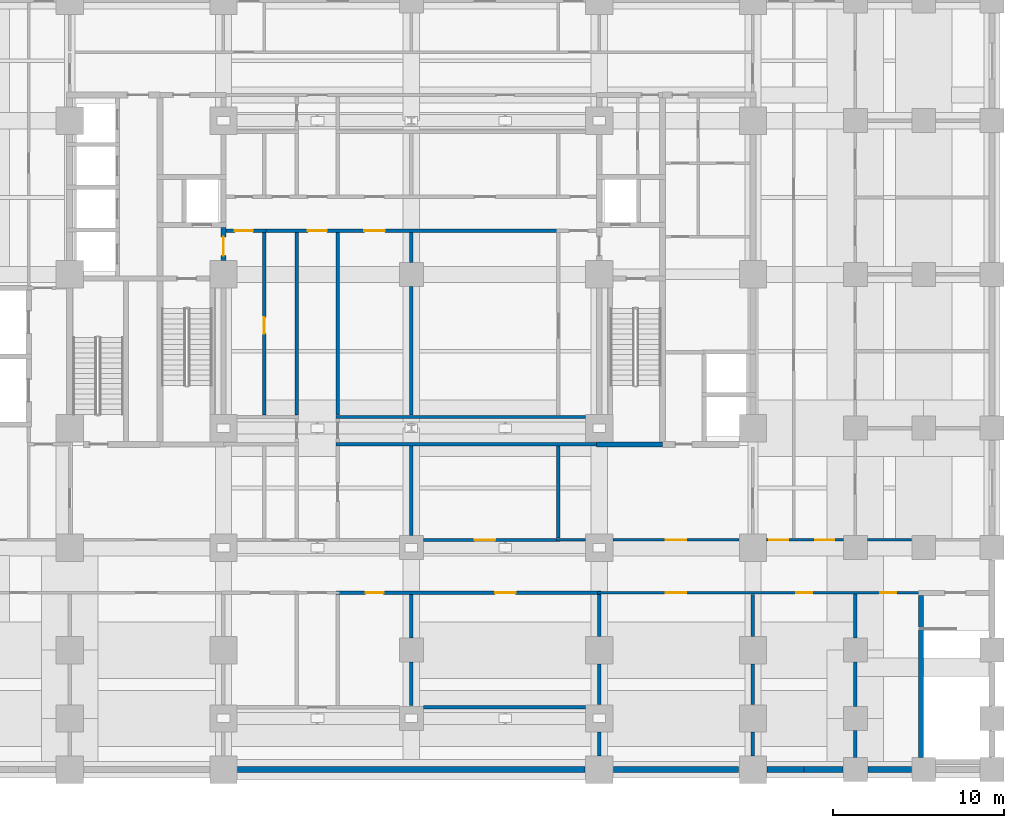
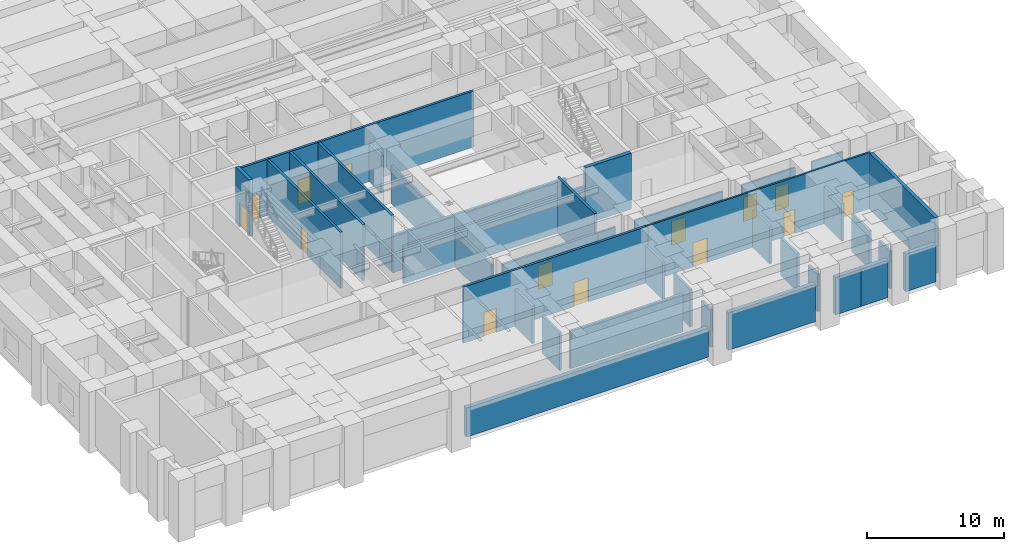
# One storey, part 9 of 22: 38 walls, 14 doors, 14 openings.
"""IFC4 building model written with IfcOpenShell, lengths in metres."""

from ifc_helpers import new_model, si_unit, direction, frame, frame_2d, origin, place, context, subcontext, project, spatial, rectangle, extrude, material, layer, layer_set, type_object, element, fill, save


model = new_model("IFC4")

# Units and contexts
model_context = context("Model", 3, precision=1e-05, world=origin(), true_north=direction((0.0, 1.0)))
body_context = subcontext(model_context, "Body", "Model", "MODEL_VIEW")
ifc_project = project(units=[si_unit("LENGTHUNIT", "METRE"), si_unit("AREAUNIT", "SQUARE_METRE"), si_unit("VOLUMEUNIT", "CUBIC_METRE"), si_unit("PLANEANGLEUNIT", "RADIAN"), si_unit("MASSUNIT", "GRAM", prefix="KILO")], contexts=[model_context])

# Site, building, storey
site_placement = place(None, origin())
site = spatial("IfcSite", under=ifc_project, at=site_placement, CompositionType="ELEMENT")
building_placement = place(site_placement, origin())
building = spatial("IfcBuilding", under=site, at=building_placement, Name="Zulmaris Gate Convention Tower", CompositionType="ELEMENT")
storey_placement = place(building_placement, frame((0.0, 0.0, 21.760009765625)))
storey = spatial("IfcBuildingStorey", under=building, at=storey_placement, Name="L04", CompositionType="ELEMENT", Elevation=21.760009765625)

# Wall
ifc_material_1 = material(Name="Concrete C50/60", Category="concrete")
ifc_layer_1 = layer(ifc_material_1, 0.300048828125, Name="Concrete C50/60")
ifc_layer_set_1 = layer_set([ifc_layer_1], Name="Concrete C50/60")
wall_type_1 = type_object("IfcWallType", Name="CORE-300", PredefinedType="SHEAR", material=ifc_layer_set_1)
wall_1_placement = place(storey_placement, frame((10.85009765625, -9.949951171875, 0.0), z_axis=(0.0, 0.0, 1.0), x_axis=(1.0, 0.0, 0.0)))
element("IfcWall", 1, at=wall_1_placement, inside=storey, type_object=wall_type_1, Name="WL-L04-007", PredefinedType="SHEAR", context=body_context, shape_type="SweptSolid", body=[
    extrude(rectangle(XDim=3.849853515625, YDim=0.300048828125, at=frame_2d((1.9248046875, 0.0))), origin(), (0.0, 0.0, 1.0), 4.989990234375),
])

# Wall, opening, door
wall_2_placement = place(storey_placement, frame((-11.0, 0.803955078125, 0.0), z_axis=(0.0, 0.0, 1.0), x_axis=(0.0, 1.0, 0.0)))
wall_2 = element("IfcWall", 2, at=wall_2_placement, inside=storey, type_object=wall_type_1, Name="WL-L04-095", PredefinedType="SHEAR", context=body_context, shape_type="SweptSolid", body=[
    extrude(rectangle(XDim=1.944091796875, YDim=0.300048828125, at=frame_2d((0.97216796875, 0.0))), origin(), (0.0, 0.0, 1.0), 4.989990234375),
])
opening_1_placement = place(wall_2_placement, frame((0.2958984375, 0.0, 0.0)))
opening_1 = element("IfcOpeningElement", 3, at=opening_1_placement, cuts=wall_2, Name="Opening D-08", PredefinedType="OPENING", context=body_context, shape_type="SweptSolid", body=[
    extrude(rectangle(XDim=1.10009765625, YDim=2.14990234375, at=frame_2d((0.550048828125, 1.074951171875))), frame((0.0, 0.16015625, 0.0), z_axis=(0.0, -1.0, 0.0), x_axis=(1.0, 0.0, 0.0)), (0.0, 0.0, 1.0), 0.320068359375),
])
ifc_material_2 = material(Name="Fire-Rated Steel", Category="steel")
door_type_1 = type_object("IfcDoorType", Name="DR-1100-FD", OperationType="NOTDEFINED", PredefinedType="DOOR", material=ifc_material_2)
door_1_placement = place(opening_1_placement, origin())
door_1 = element("IfcDoor", 4, at=door_1_placement, inside=storey, type_object=door_type_1, Name="L04 West Firefighting Lobby Door 02", OperationType="SINGLE_SWING_RIGHT", OverallHeight=2.14990234375, OverallWidth=1.10009765625, PredefinedType="DOOR", context=body_context, shape_type="SweptSolid", body=[
    extrude(rectangle(XDim=1.10009765625, YDim=2.14990234375, at=frame_2d((0.550048828125, 1.074951171875))), frame((0.0, 0.02490234375, 0.0), z_axis=(0.0, -1.0, 0.0), x_axis=(1.0, 0.0, 0.0)), (0.0, 0.0, 1.0), 0.050048828125),
])
fill(opening_1, door_1)

# Wall
wall_3_placement = place(storey_placement, frame((29.85009765625, -28.2958984375, 0.0), z_axis=(0.0, 0.0, 1.0), x_axis=(0.0, 1.0, 0.0)))
element("IfcWall", 5, at=wall_3_placement, inside=storey, type_object=wall_type_1, Name="WL-L04-113", PredefinedType="SHEAR", context=body_context, shape_type="SweptSolid", body=[
    extrude(rectangle(XDim=9.493896484375, YDim=0.300048828125, at=frame_2d((4.7470703125, 0.0))), origin(), (0.0, 0.0, 1.0), 4.989990234375),
])

# Wall, openings, doors
ifc_material_3 = material(Name="Gypsum Metal Stud Partition")
ifc_layer_2 = layer(ifc_material_3, 0.14990234375, Name="Gypsum Metal Stud Partition")
ifc_layer_set_2 = layer_set([ifc_layer_2], Name="Gypsum Metal Stud Partition")
wall_type_2 = type_object("IfcWallType", Name="PART-150", PredefinedType="PARTITIONING", material=ifc_layer_set_2)
wall_4_placement = place(storey_placement, frame((10.89990234375, -18.64990234375, 0.0), z_axis=(0.0, 0.0, 1.0), x_axis=(1.0, 0.0, 0.0)))
wall_4 = element("IfcWall", 6, at=wall_4_placement, inside=storey, type_object=wall_type_2, Name="WL-L04-035", PredefinedType="PARTITIONING", context=body_context, shape_type="SweptSolid", body=[
    extrude(rectangle(XDim=18.9501953125, YDim=0.14990234375, at=frame_2d((9.47509765625, 0.0))), origin(), (0.0, 0.0, 1.0), 4.989990234375),
])
opening_2_placement = place(wall_4_placement, frame((4.0, 0.0, 0.0)))
opening_2 = element("IfcOpeningElement", 7, at=opening_2_placement, cuts=wall_4, Name="Opening D-13", PredefinedType="OPENING", context=body_context, shape_type="SweptSolid", body=[
    extrude(rectangle(XDim=1.199951171875, YDim=2.14990234375, at=frame_2d((0.60009765625, 1.074951171875))), frame((0.0, 0.0849609375, 0.0), z_axis=(0.0, -1.0, 0.0), x_axis=(1.0, 0.0, 0.0)), (0.0, 0.0, 1.0), 0.169921875),
])
opening_3_placement = place(wall_4_placement, frame((11.625, 0.0, 0.0)))
opening_3 = element("IfcOpeningElement", 8, at=opening_3_placement, cuts=wall_4, Name="Opening D-11", PredefinedType="OPENING", context=body_context, shape_type="SweptSolid", body=[
    extrude(rectangle(XDim=0.949951171875, YDim=2.14990234375, at=frame_2d((0.47509765625, 1.074951171875))), frame((0.0, 0.0849609375, 0.0), z_axis=(0.0, -1.0, 0.0), x_axis=(1.0, 0.0, 0.0)), (0.0, 0.0, 1.0), 0.169921875),
])
opening_4_placement = place(wall_4_placement, frame((16.554931640625, 0.0, 0.0)))
opening_4 = element("IfcOpeningElement", 9, at=opening_4_placement, cuts=wall_4, Name="Opening D-11", PredefinedType="OPENING", context=body_context, shape_type="SweptSolid", body=[
    extrude(rectangle(XDim=0.949951171875, YDim=2.14990234375, at=frame_2d((0.47509765625, 1.074951171875))), frame((0.0, 0.0849609375, 0.0), z_axis=(0.0, -1.0, 0.0), x_axis=(1.0, 0.0, 0.0)), (0.0, 0.0, 1.0), 0.169921875),
])
door_type_2 = type_object("IfcDoorType", Name="DR-1200-FD", OperationType="NOTDEFINED", PredefinedType="DOOR", material=ifc_material_2)
door_2_placement = place(opening_2_placement, origin())
door_2 = element("IfcDoor", 10, at=door_2_placement, inside=storey, type_object=door_type_2, Name="L04 South-East Convention Hall Door 84", OperationType="SINGLE_SWING_RIGHT", OverallHeight=2.14990234375, OverallWidth=1.199951171875, PredefinedType="DOOR", context=body_context, shape_type="SweptSolid", body=[
    extrude(rectangle(XDim=1.199951171875, YDim=2.14990234375, at=frame_2d((0.60009765625, 1.074951171875))), frame((0.0, 0.02490234375, 0.0), z_axis=(0.0, -1.0, 0.0), x_axis=(1.0, 0.0, 0.0)), (0.0, 0.0, 1.0), 0.050048828125),
])
fill(opening_2, door_2)
ifc_material_4 = material(Name="Fire-Rated Timber", Category="wood")
door_type_3 = type_object("IfcDoorType", Name="DR-950-FD", OperationType="NOTDEFINED", PredefinedType="DOOR", material=ifc_material_4)
door_3_placement = place(opening_3_placement, origin())
door_3 = element("IfcDoor", 11, at=door_3_placement, inside=storey, type_object=door_type_3, Name="L04 South-East Seminar Room Door 85", OperationType="SINGLE_SWING_LEFT", OverallHeight=2.14990234375, OverallWidth=0.949951171875, PredefinedType="DOOR", context=body_context, shape_type="SweptSolid", body=[
    extrude(rectangle(XDim=0.949951171875, YDim=2.14990234375, at=frame_2d((0.47509765625, 1.074951171875))), frame((0.0, 0.02490234375, 0.0), z_axis=(0.0, -1.0, 0.0), x_axis=(1.0, 0.0, 0.0)), (0.0, 0.0, 1.0), 0.050048828125),
])
fill(opening_3, door_3)
door_4_placement = place(opening_4_placement, origin())
door_4 = element("IfcDoor", 12, at=door_4_placement, inside=storey, type_object=door_type_3, Name="L04 Interpreter Booth Office Door 86", OperationType="SINGLE_SWING_RIGHT", OverallHeight=2.14990234375, OverallWidth=0.949951171875, PredefinedType="DOOR", context=body_context, shape_type="SweptSolid", body=[
    extrude(rectangle(XDim=0.949951171875, YDim=2.14990234375, at=frame_2d((0.47509765625, 1.074951171875))), frame((0.0, 0.02490234375, 0.0), z_axis=(0.0, -1.0, 0.0), x_axis=(1.0, 0.0, 0.0)), (0.0, 0.0, 1.0), 0.050048828125),
])
fill(opening_4, door_4)

# Wall
wall_5_placement = place(storey_placement, frame((8.5, -15.550048828125, 0.0), z_axis=(0.0, 0.0, 1.0), x_axis=(1.0, 0.0, 0.0)))
element("IfcWall", 13, at=wall_5_placement, inside=storey, type_object=wall_type_2, Name="WL-L04-040", PredefinedType="PARTITIONING", context=body_context, shape_type="SweptSolid", body=[
    extrude(rectangle(XDim=1.694091796875, YDim=0.14990234375, at=frame_2d((0.84716796875, 0.0))), origin(), (0.0, 0.0, 1.0), 3.33203125),
])

# Wall, opening, door
wall_6_placement = place(storey_placement, frame((11.805908203125, -15.550048828125, 0.0), z_axis=(0.0, 0.0, 1.0), x_axis=(1.0, 0.0, 0.0)))
wall_6 = element("IfcWall", 14, at=wall_6_placement, inside=storey, type_object=wall_type_2, Name="WL-L04-040S1", PredefinedType="PARTITIONING", context=body_context, shape_type="SweptSolid", body=[
    extrude(rectangle(XDim=7.38818359375, YDim=0.14990234375, at=frame_2d((3.694091796875, 0.0))), origin(), (0.0, 0.0, 1.0), 3.33203125),
])
opening_5_placement = place(wall_6_placement, frame((3.093994140625, 0.0, 0.0)))
opening_5 = element("IfcOpeningElement", 15, at=opening_5_placement, cuts=wall_6, Name="Opening D-13", PredefinedType="OPENING", context=body_context, shape_type="SweptSolid", body=[
    extrude(rectangle(XDim=1.199951171875, YDim=2.14990234375, at=frame_2d((0.60009765625, 1.074951171875))), frame((0.0, 0.0849609375, 0.0), z_axis=(0.0, -1.0, 0.0), x_axis=(1.0, 0.0, 0.0)), (0.0, 0.0, 1.0), 0.169921875),
])
door_5_placement = place(opening_5_placement, origin())
door_5 = element("IfcDoor", 16, at=door_5_placement, inside=storey, type_object=door_type_2, Name="L04 SE Stair Link Door 46", OperationType="SINGLE_SWING_RIGHT", OverallHeight=2.14990234375, OverallWidth=1.199951171875, PredefinedType="DOOR", context=body_context, shape_type="SweptSolid", body=[
    extrude(rectangle(XDim=1.199951171875, YDim=2.14990234375, at=frame_2d((0.60009765625, 1.074951171875))), frame((0.0, 0.02490234375, 0.0), z_axis=(0.0, -1.0, 0.0), x_axis=(1.0, 0.0, 0.0)), (0.0, 0.0, 1.0), 0.050048828125),
])
fill(opening_5, door_5)

# Wall, openings, doors
wall_7_placement = place(storey_placement, frame((20.805908203125, -15.550048828125, 0.0), z_axis=(0.0, 0.0, 1.0), x_axis=(1.0, 0.0, 0.0)))
wall_7 = element("IfcWall", 17, at=wall_7_placement, inside=storey, type_object=wall_type_2, Name="WL-L04-040S2", PredefinedType="PARTITIONING", context=body_context, shape_type="SweptSolid", body=[
    extrude(rectangle(XDim=4.488037109375, YDim=0.14990234375, at=frame_2d((2.244140625, 0.0))), origin(), (0.0, 0.0, 1.0), 3.33203125),
])
opening_6_placement = place(wall_7_placement, frame((0.14990234375, 0.0, 0.0)))
opening_6 = element("IfcOpeningElement", 18, at=opening_6_placement, cuts=wall_7, Name="Opening D-08", PredefinedType="OPENING", context=body_context, shape_type="SweptSolid", body=[
    extrude(rectangle(XDim=1.10009765625, YDim=2.14990234375, at=frame_2d((0.550048828125, 1.074951171875))), frame((0.0, 0.0849609375, 0.0), z_axis=(0.0, -1.0, 0.0), x_axis=(1.0, 0.0, 0.0)), (0.0, 0.0, 1.0), 0.169921875),
])
opening_7_placement = place(wall_7_placement, frame((2.843994140625, 0.0, 0.0)))
opening_7 = element("IfcOpeningElement", 19, at=opening_7_placement, cuts=wall_7, Name="Opening D-08", PredefinedType="OPENING", context=body_context, shape_type="SweptSolid", body=[
    extrude(rectangle(XDim=1.10009765625, YDim=2.14990234375, at=frame_2d((0.550048828125, 1.074951171875))), frame((0.0, 0.0849609375, 0.0), z_axis=(0.0, -1.0, 0.0), x_axis=(1.0, 0.0, 0.0)), (0.0, 0.0, 1.0), 0.169921875),
])
door_6_placement = place(opening_6_placement, origin())
door_6 = element("IfcDoor", 20, at=door_6_placement, inside=storey, type_object=door_type_1, Name="L04 East Exit South Door 47", OperationType="SINGLE_SWING_LEFT", OverallHeight=2.14990234375, OverallWidth=1.10009765625, PredefinedType="DOOR", context=body_context, shape_type="SweptSolid", body=[
    extrude(rectangle(XDim=1.10009765625, YDim=2.14990234375, at=frame_2d((0.550048828125, 1.074951171875))), frame((0.0, 0.02490234375, 0.0), z_axis=(0.0, -1.0, 0.0), x_axis=(1.0, 0.0, 0.0)), (0.0, 0.0, 1.0), 0.050048828125),
])
fill(opening_6, door_6)
door_7_placement = place(opening_7_placement, origin())
door_7 = element("IfcDoor", 21, at=door_7_placement, inside=storey, type_object=door_type_1, Name="L04 East Promenade Stair Door 73", OperationType="SINGLE_SWING_LEFT", OverallHeight=2.14990234375, OverallWidth=1.10009765625, PredefinedType="DOOR", context=body_context, shape_type="SweptSolid", body=[
    extrude(rectangle(XDim=1.10009765625, YDim=2.14990234375, at=frame_2d((0.550048828125, 1.074951171875))), frame((0.0, 0.02490234375, 0.0), z_axis=(0.0, -1.0, 0.0), x_axis=(1.0, 0.0, 0.0)), (0.0, 0.0, 1.0), 0.050048828125),
])
fill(opening_7, door_7)

# Walls
wall_8_placement = place(storey_placement, frame((26.7060546875, -15.550048828125, 0.0), z_axis=(0.0, 0.0, 1.0), x_axis=(1.0, 0.0, 0.0)))
element("IfcWall", 22, at=wall_8_placement, inside=storey, type_object=wall_type_2, Name="WL-L04-040S3", PredefinedType="PARTITIONING", context=body_context, shape_type="SweptSolid", body=[
    extrude(rectangle(XDim=2.587890625, YDim=0.14990234375, at=frame_2d((1.2939453125, 0.0))), origin(), (0.0, 0.0, 1.0), 3.33203125),
])
ifc_material_5 = material(Name="Autoclaved Aerated Concrete Block and Plasterboard", Category="concrete")
ifc_layer_3 = layer(ifc_material_5, 0.199951171875, Name="Autoclaved Aerated Concrete Block and Plasterboard")
ifc_layer_set_3 = layer_set([ifc_layer_3], Name="Autoclaved Aerated Concrete Block and Plasterboard")
wall_type_3 = type_object("IfcWallType", Name="PART-200", PredefinedType="PARTITIONING", material=ifc_layer_set_3)
wall_9_placement = place(storey_placement, frame((0.7060546875, -25.35009765625, 0.0), z_axis=(0.0, 0.0, 1.0), x_axis=(1.0, 0.0, 0.0)))
element("IfcWall", 23, at=wall_9_placement, inside=storey, type_object=wall_type_3, Name="WL-L04-029S1", PredefinedType="PARTITIONING", context=body_context, shape_type="SweptSolid", body=[
    extrude(rectangle(XDim=9.488037109375, YDim=0.199951171875, at=frame_2d((4.744140625, 0.0))), origin(), (0.0, 0.0, 1.0), 3.33203125),
])

# Wall, openings, doors
wall_10_placement = place(storey_placement, frame((-4.39990234375, -18.64990234375, 0.0), z_axis=(0.0, 0.0, 1.0), x_axis=(1.0, 0.0, 0.0)))
wall_10 = element("IfcWall", 24, at=wall_10_placement, inside=storey, type_object=wall_type_3, Name="WL-L04-034", PredefinedType="PARTITIONING", context=body_context, shape_type="SweptSolid", body=[
    extrude(rectangle(XDim=15.5, YDim=0.199951171875, at=frame_2d((7.75, 0.0))), origin(), (0.0, 0.0, 1.0), 4.989990234375),
])
opening_8_placement = place(wall_10_placement, frame((1.72509765625, 0.0, 0.0)))
opening_8 = element("IfcOpeningElement", 25, at=opening_8_placement, cuts=wall_10, Name="Opening D-09", PredefinedType="OPENING", context=body_context, shape_type="SweptSolid", body=[
    extrude(rectangle(XDim=1.050048828125, YDim=2.14990234375, at=frame_2d((0.52490234375, 1.074951171875))), frame((0.0, 0.10986328125, 0.0), z_axis=(0.0, -1.0, 0.0), x_axis=(1.0, 0.0, 0.0)), (0.0, 0.0, 1.0), 0.219970703125),
])
opening_9_placement = place(wall_10_placement, frame((9.300048828125, 0.0, 0.0)))
opening_9 = element("IfcOpeningElement", 26, at=opening_9_placement, cuts=wall_10, Name="Opening D-13", PredefinedType="OPENING", context=body_context, shape_type="SweptSolid", body=[
    extrude(rectangle(XDim=1.199951171875, YDim=2.14990234375, at=frame_2d((0.60009765625, 1.074951171875))), frame((0.0, 0.10986328125, 0.0), z_axis=(0.0, -1.0, 0.0), x_axis=(1.0, 0.0, 0.0)), (0.0, 0.0, 1.0), 0.219970703125),
])
door_type_4 = type_object("IfcDoorType", Name="DR-1050-FD", OperationType="NOTDEFINED", PredefinedType="DOOR", material=ifc_material_2)
door_8_placement = place(opening_8_placement, origin())
door_8 = element("IfcDoor", 27, at=door_8_placement, inside=storey, type_object=door_type_4, Name="L04 SC Plenary Room Door 90", OperationType="SINGLE_SWING_RIGHT", OverallHeight=2.14990234375, OverallWidth=1.050048828125, PredefinedType="DOOR", context=body_context, shape_type="SweptSolid", body=[
    extrude(rectangle(XDim=1.050048828125, YDim=2.14990234375, at=frame_2d((0.52490234375, 1.074951171875))), frame((0.0, 0.02490234375, 0.0), z_axis=(0.0, -1.0, 0.0), x_axis=(1.0, 0.0, 0.0)), (0.0, 0.0, 1.0), 0.050048828125),
])
fill(opening_8, door_8)
door_9_placement = place(opening_9_placement, origin())
door_9 = element("IfcDoor", 28, at=door_9_placement, inside=storey, type_object=door_type_2, Name="L04 SE Plenary Hall Door 91", OperationType="SINGLE_SWING_LEFT", OverallHeight=2.14990234375, OverallWidth=1.199951171875, PredefinedType="DOOR", context=body_context, shape_type="SweptSolid", body=[
    extrude(rectangle(XDim=1.199951171875, YDim=2.14990234375, at=frame_2d((0.60009765625, 1.074951171875))), frame((0.0, 0.02490234375, 0.0), z_axis=(0.0, -1.0, 0.0), x_axis=(1.0, 0.0, 0.0)), (0.0, 0.0, 1.0), 0.050048828125),
])
fill(opening_9, door_9)

# Wall, opening, door
wall_11_placement = place(storey_placement, frame((0.7060546875, -15.550048828125, 0.0), z_axis=(0.0, 0.0, 1.0), x_axis=(1.0, 0.0, 0.0)))
wall_11 = element("IfcWall", 29, at=wall_11_placement, inside=storey, type_object=wall_type_3, Name="WL-L04-039S1", PredefinedType="PARTITIONING", context=body_context, shape_type="SweptSolid", body=[
    extrude(rectangle(XDim=7.993896484375, YDim=0.199951171875, at=frame_2d((3.9970703125, 0.0))), origin(), (0.0, 0.0, 1.0), 3.33203125),
])
opening_10_placement = place(wall_11_placement, frame((2.993896484375, 0.0, 0.0)))
opening_10 = element("IfcOpeningElement", 30, at=opening_10_placement, cuts=wall_11, Name="Opening D-13", PredefinedType="OPENING", context=body_context, shape_type="SweptSolid", body=[
    extrude(rectangle(XDim=1.199951171875, YDim=2.14990234375, at=frame_2d((0.60009765625, 1.074951171875))), frame((0.0, 0.10986328125, 0.0), z_axis=(0.0, -1.0, 0.0), x_axis=(1.0, 0.0, 0.0)), (0.0, 0.0, 1.0), 0.219970703125),
])
door_10_placement = place(opening_10_placement, origin())
door_10 = element("IfcDoor", 31, at=door_10_placement, inside=storey, type_object=door_type_2, Name="L04 CE Seminar Hall Door 98", OperationType="SINGLE_SWING_RIGHT", OverallHeight=2.14990234375, OverallWidth=1.199951171875, PredefinedType="DOOR", context=body_context, shape_type="SweptSolid", body=[
    extrude(rectangle(XDim=1.199951171875, YDim=2.14990234375, at=frame_2d((0.60009765625, 1.074951171875))), frame((0.0, 0.02490234375, 0.0), z_axis=(0.0, -1.0, 0.0), x_axis=(1.0, 0.0, 0.0)), (0.0, 0.0, 1.0), 0.050048828125),
])
fill(opening_10, door_10)

# Walls
wall_12_placement = place(storey_placement, frame((-4.39990234375, -9.949951171875, 0.0), z_axis=(0.0, 0.0, 1.0), x_axis=(1.0, 0.0, 0.0)))
element("IfcWall", 32, at=wall_12_placement, inside=storey, type_object=wall_type_3, Name="WL-L04-043", PredefinedType="PARTITIONING", context=body_context, shape_type="SweptSolid", body=[
    extrude(rectangle(XDim=15.39990234375, YDim=0.199951171875, at=frame_2d((7.699951171875, 0.0))), origin(), (0.0, 0.0, 1.0), 3.33203125),
])
wall_13_placement = place(storey_placement, frame((-4.39990234375, -8.35009765625, 0.0), z_axis=(0.0, 0.0, 1.0), x_axis=(1.0, 0.0, 0.0)))
element("IfcWall", 33, at=wall_13_placement, inside=storey, type_object=wall_type_3, Name="WL-L04-047", PredefinedType="PARTITIONING", context=body_context, shape_type="SweptSolid", body=[
    extrude(rectangle(XDim=14.593994140625, YDim=0.199951171875, at=frame_2d((7.296875, 0.0))), origin(), (0.0, 0.0, 1.0), 3.33203125),
])

# Wall, opening, door
wall_14_placement = place(storey_placement, frame((-10.846923828125, 2.550048828125, 0.0), z_axis=(0.0, 0.0, 1.0), x_axis=(1.0, 0.0, 0.0)))
wall_14 = element("IfcWall", 34, at=wall_14_placement, inside=storey, type_object=wall_type_3, Name="WL-L04-054", PredefinedType="PARTITIONING", context=body_context, shape_type="SweptSolid", body=[
    extrude(rectangle(XDim=2.346923828125, YDim=0.199951171875, at=frame_2d((1.17333984375, 0.0))), origin(), (0.0, 0.0, 1.0), 4.989990234375),
])
opening_11_placement = place(wall_14_placement, frame((0.52197265625, 0.0, 0.0)))
opening_11 = element("IfcOpeningElement", 35, at=opening_11_placement, cuts=wall_14, Name="Opening D-09", PredefinedType="OPENING", context=body_context, shape_type="SweptSolid", body=[
    extrude(rectangle(XDim=1.050048828125, YDim=2.14990234375, at=frame_2d((0.52490234375, 1.074951171875))), frame((0.0, 0.10986328125, 0.0), z_axis=(0.0, -1.0, 0.0), x_axis=(1.0, 0.0, 0.0)), (0.0, 0.0, 1.0), 0.219970703125),
])
door_11_placement = place(opening_11_placement, origin())
door_11 = element("IfcDoor", 36, at=door_11_placement, inside=storey, type_object=door_type_4, Name="L04 West Arch North Cross Door 28", OperationType="SINGLE_SWING_RIGHT", OverallHeight=2.14990234375, OverallWidth=1.050048828125, PredefinedType="DOOR", context=body_context, shape_type="SweptSolid", body=[
    extrude(rectangle(XDim=1.050048828125, YDim=2.14990234375, at=frame_2d((0.52490234375, 1.074951171875))), frame((0.0, 0.02490234375, 0.0), z_axis=(0.0, -1.0, 0.0), x_axis=(1.0, 0.0, 0.0)), (0.0, 0.0, 1.0), 0.050048828125),
])
fill(opening_11, door_11)

# Wall, openings, doors
wall_15_placement = place(storey_placement, frame((-8.699951171875, 2.550048828125, 0.0), z_axis=(0.0, 0.0, 1.0), x_axis=(1.0, 0.0, 0.0)))
wall_15 = element("IfcWall", 37, at=wall_15_placement, inside=storey, type_object=wall_type_3, Name="WL-L04-055", PredefinedType="PARTITIONING", context=body_context, shape_type="SweptSolid", body=[
    extrude(rectangle(XDim=17.39990234375, YDim=0.199951171875, at=frame_2d((8.699951171875, 0.0))), origin(), (0.0, 0.0, 1.0), 4.989990234375),
])
opening_12_placement = place(wall_15_placement, frame((2.64990234375, 0.0, 0.0)))
opening_12 = element("IfcOpeningElement", 38, at=opening_12_placement, cuts=wall_15, Name="Opening D-08", PredefinedType="OPENING", context=body_context, shape_type="SweptSolid", body=[
    extrude(rectangle(XDim=1.10009765625, YDim=2.14990234375, at=frame_2d((0.550048828125, 1.074951171875))), frame((0.0, 0.10986328125, 0.0), z_axis=(0.0, -1.0, 0.0), x_axis=(1.0, 0.0, 0.0)), (0.0, 0.0, 1.0), 0.219970703125),
])
opening_13_placement = place(wall_15_placement, frame((5.949951171875, 0.0, 0.0)))
opening_13 = element("IfcOpeningElement", 39, at=opening_13_placement, cuts=wall_15, Name="Opening D-13", PredefinedType="OPENING", context=body_context, shape_type="SweptSolid", body=[
    extrude(rectangle(XDim=1.199951171875, YDim=2.14990234375, at=frame_2d((0.60009765625, 1.074951171875))), frame((0.0, 0.10986328125, 0.0), z_axis=(0.0, -1.0, 0.0), x_axis=(1.0, 0.0, 0.0)), (0.0, 0.0, 1.0), 0.219970703125),
])
door_12_placement = place(opening_12_placement, origin())
door_12 = element("IfcDoor", 40, at=door_12_placement, inside=storey, type_object=door_type_1, Name="L04 Apex Spine South Cross Door 93", OperationType="SINGLE_SWING_LEFT", OverallHeight=2.14990234375, OverallWidth=1.10009765625, PredefinedType="DOOR", context=body_context, shape_type="SweptSolid", body=[
    extrude(rectangle(XDim=1.10009765625, YDim=2.14990234375, at=frame_2d((0.550048828125, 1.074951171875))), frame((0.0, 0.02490234375, 0.0), z_axis=(0.0, -1.0, 0.0), x_axis=(1.0, 0.0, 0.0)), (0.0, 0.0, 1.0), 0.050048828125),
])
fill(opening_12, door_12)
door_13_placement = place(opening_13_placement, origin())
door_13 = element("IfcDoor", 41, at=door_13_placement, inside=storey, type_object=door_type_2, Name="L04 West Ballroom Door 102", OperationType="SINGLE_SWING_RIGHT", OverallHeight=2.14990234375, OverallWidth=1.199951171875, PredefinedType="DOOR", context=body_context, shape_type="SweptSolid", body=[
    extrude(rectangle(XDim=1.199951171875, YDim=2.14990234375, at=frame_2d((0.60009765625, 1.074951171875))), frame((0.0, 0.02490234375, 0.0), z_axis=(0.0, -1.0, 0.0), x_axis=(1.0, 0.0, 0.0)), (0.0, 0.0, 1.0), 0.050048828125),
])
fill(opening_13, door_13)

# Wall, opening, door
wall_16_placement = place(storey_placement, frame((-8.60009765625, -8.2470703125, 0.0), z_axis=(0.0, 0.0, 1.0), x_axis=(0.0, 1.0, 0.0)))
wall_16 = element("IfcWall", 42, at=wall_16_placement, inside=storey, type_object=wall_type_3, Name="WL-L04-140", PredefinedType="PARTITIONING", context=body_context, shape_type="SweptSolid", body=[
    extrude(rectangle(XDim=10.694091796875, YDim=0.199951171875, at=frame_2d((5.34716796875, 0.0))), origin(), (0.0, 0.0, 1.0), 4.989990234375),
])
opening_14_placement = place(wall_16_placement, frame((4.77197265625, 0.0, 0.0)))
opening_14 = element("IfcOpeningElement", 43, at=opening_14_placement, cuts=wall_16, Name="Opening D-11", PredefinedType="OPENING", context=body_context, shape_type="SweptSolid", body=[
    extrude(rectangle(XDim=0.949951171875, YDim=2.14990234375, at=frame_2d((0.47509765625, 1.074951171875))), frame((0.0, 0.10986328125, 0.0), z_axis=(0.0, -1.0, 0.0), x_axis=(1.0, 0.0, 0.0)), (0.0, 0.0, 1.0), 0.219970703125),
])
door_14_placement = place(opening_14_placement, origin())
door_14 = element("IfcDoor", 44, at=door_14_placement, inside=storey, type_object=door_type_3, Name="L04 West Ballroom AV Store Door 101", OperationType="SINGLE_SWING_LEFT", OverallHeight=2.14990234375, OverallWidth=0.949951171875, PredefinedType="DOOR", context=body_context, shape_type="SweptSolid", body=[
    extrude(rectangle(XDim=0.949951171875, YDim=2.14990234375, at=frame_2d((0.47509765625, 1.074951171875))), frame((0.0, 0.02490234375, 0.0), z_axis=(0.0, -1.0, 0.0), x_axis=(1.0, 0.0, 0.0)), (0.0, 0.0, 1.0), 0.050048828125),
])
fill(opening_14, door_14)

# Walls
for number, where, z_axis, x_axis, name in (
    (45, (-6.699951171875, -8.2470703125, 0.0), (0.0, 0.0, 1.0), (0.0, 1.0, 0.0), "WL-L04-146"),
    (46, (-4.300048828125, -8.2470703125, 0.0), (0.0, 0.0, 1.0), (0.0, 1.0, 0.0), "WL-L04-153"),
):
    element("IfcWall", number, at=place(storey_placement, frame(where, z_axis=z_axis, x_axis=x_axis)), inside=storey, type_object=wall_type_3, Name=name, PredefinedType="PARTITIONING", context=body_context, shape_type="SweptSolid", body=[
        extrude(rectangle(XDim=10.694091796875, YDim=0.199951171875, at=frame_2d((5.34716796875, 0.0))), origin(), (0.0, 0.0, 1.0), 4.989990234375),
    ])
for number, where, z_axis, x_axis, name in (
    (47, (0.0, -25.2470703125, 0.0), (0.0, 0.0, 1.0), (0.0, 1.0, 0.0), "WL-L04-157"),
    (48, (0.0, -21.2939453125, 0.0), (0.0, 0.0, 1.0), (0.0, 1.0, 0.0), "WL-L04-157S1"),
):
    element("IfcWall", number, at=place(storey_placement, frame(where, z_axis=z_axis, x_axis=x_axis)), inside=storey, type_object=wall_type_3, Name=name, PredefinedType="PARTITIONING", context=body_context, shape_type="SweptSolid", body=[
        extrude(rectangle(XDim=2.541015625, YDim=0.199951171875, at=frame_2d((1.2705078125, 0.0))), origin(), (0.0, 0.0, 1.0), 3.33203125),
    ])
wall_17_placement = place(storey_placement, frame((0.0, -15.2939453125, 0.0), z_axis=(0.0, 0.0, 1.0), x_axis=(0.0, 1.0, 0.0)))
element("IfcWall", 49, at=wall_17_placement, inside=storey, type_object=wall_type_3, Name="WL-L04-158", PredefinedType="PARTITIONING", context=body_context, shape_type="SweptSolid", body=[
    extrude(rectangle(XDim=5.240966796875, YDim=0.199951171875, at=frame_2d((2.62060546875, 0.0))), origin(), (0.0, 0.0, 1.0), 3.33203125),
])
wall_18_placement = place(storey_placement, frame((0.0, -8.2470703125, 0.0), z_axis=(0.0, 0.0, 1.0), x_axis=(0.0, 1.0, 0.0)))
element("IfcWall", 50, at=wall_18_placement, inside=storey, type_object=wall_type_3, Name="WL-L04-159", PredefinedType="PARTITIONING", context=body_context, shape_type="SweptSolid", body=[
    extrude(rectangle(XDim=7.541015625, YDim=0.199951171875, at=frame_2d((3.7705078125, 0.0))), origin(), (0.0, 0.0, 1.0), 3.33203125),
])
wall_19_placement = place(storey_placement, frame((0.0, 0.7060546875, 0.0), z_axis=(0.0, 0.0, 1.0), x_axis=(0.0, 1.0, 0.0)))
element("IfcWall", 51, at=wall_19_placement, inside=storey, type_object=wall_type_3, Name="WL-L04-159S1", PredefinedType="PARTITIONING", context=body_context, shape_type="SweptSolid", body=[
    extrude(rectangle(XDim=1.740966796875, YDim=0.199951171875, at=frame_2d((0.87060546875, 0.0))), origin(), (0.0, 0.0, 1.0), 3.33203125),
])
wall_20_placement = place(storey_placement, frame((8.60009765625, -15.447021484375, 0.0), z_axis=(0.0, 0.0, 1.0), x_axis=(0.0, 1.0, 0.0)))
element("IfcWall", 52, at=wall_20_placement, inside=storey, type_object=wall_type_3, Name="WL-L04-163", PredefinedType="PARTITIONING", context=body_context, shape_type="SweptSolid", body=[
    extrude(rectangle(XDim=5.39404296875, YDim=0.199951171875, at=frame_2d((2.697021484375, 0.0))), origin(), (0.0, 0.0, 1.0), 4.989990234375),
])
wall_21_placement = place(storey_placement, frame((11.0, -28.194091796875, 0.0), z_axis=(0.0, 0.0, 1.0), x_axis=(0.0, 1.0, 0.0)))
element("IfcWall", 53, at=wall_21_placement, inside=storey, type_object=wall_type_3, Name="WL-L04-167", PredefinedType="PARTITIONING", context=body_context, shape_type="SweptSolid", body=[
    extrude(rectangle(XDim=1.38818359375, YDim=0.199951171875, at=frame_2d((0.694091796875, 0.0))), origin(), (0.0, 0.0, 1.0), 3.33203125),
])
wall_22_placement = place(storey_placement, frame((11.0, -25.194091796875, 0.0), z_axis=(0.0, 0.0, 1.0), x_axis=(0.0, 1.0, 0.0)))
element("IfcWall", 54, at=wall_22_placement, inside=storey, type_object=wall_type_3, Name="WL-L04-168", PredefinedType="PARTITIONING", context=body_context, shape_type="SweptSolid", body=[
    extrude(rectangle(XDim=2.38818359375, YDim=0.199951171875, at=frame_2d((1.194091796875, 0.0))), origin(), (0.0, 0.0, 1.0), 3.33203125),
])
wall_23_placement = place(storey_placement, frame((11.0, -21.194091796875, 0.0), z_axis=(0.0, 0.0, 1.0), x_axis=(0.0, 1.0, 0.0)))
element("IfcWall", 55, at=wall_23_placement, inside=storey, type_object=wall_type_3, Name="WL-L04-168S1", PredefinedType="PARTITIONING", context=body_context, shape_type="SweptSolid", body=[
    extrude(rectangle(XDim=2.441162109375, YDim=0.199951171875, at=frame_2d((1.220703125, 0.0))), origin(), (0.0, 0.0, 1.0), 3.33203125),
])
wall_24_placement = place(storey_placement, frame((20.0, -28.194091796875, 0.0), z_axis=(0.0, 0.0, 1.0), x_axis=(0.0, 1.0, 0.0)))
element("IfcWall", 56, at=wall_24_placement, inside=storey, type_object=wall_type_3, Name="WL-L04-177", PredefinedType="PARTITIONING", context=body_context, shape_type="SweptSolid", body=[
    extrude(rectangle(XDim=1.38818359375, YDim=0.199951171875, at=frame_2d((0.694091796875, 0.0))), origin(), (0.0, 0.0, 1.0), 3.33203125),
])
wall_25_placement = place(storey_placement, frame((20.0, -25.194091796875, 0.0), z_axis=(0.0, 0.0, 1.0), x_axis=(0.0, 1.0, 0.0)))
element("IfcWall", 57, at=wall_25_placement, inside=storey, type_object=wall_type_3, Name="WL-L04-177S1", PredefinedType="PARTITIONING", context=body_context, shape_type="SweptSolid", body=[
    extrude(rectangle(XDim=2.38818359375, YDim=0.199951171875, at=frame_2d((1.194091796875, 0.0))), origin(), (0.0, 0.0, 1.0), 3.33203125),
])
wall_26_placement = place(storey_placement, frame((20.0, -21.194091796875, 0.0), z_axis=(0.0, 0.0, 1.0), x_axis=(0.0, 1.0, 0.0)))
element("IfcWall", 58, at=wall_26_placement, inside=storey, type_object=wall_type_3, Name="WL-L04-177S2", PredefinedType="PARTITIONING", context=body_context, shape_type="SweptSolid", body=[
    extrude(rectangle(XDim=2.466064453125, YDim=0.199951171875, at=frame_2d((1.23291015625, 0.0))), origin(), (0.0, 0.0, 1.0), 3.33203125),
])
wall_27_placement = place(storey_placement, frame((26.0, -28.2939453125, 0.0), z_axis=(0.0, 0.0, 1.0), x_axis=(0.0, 1.0, 0.0)))
element("IfcWall", 59, at=wall_27_placement, inside=storey, type_object=wall_type_3, Name="WL-L04-185", PredefinedType="PARTITIONING", context=body_context, shape_type="SweptSolid", body=[
    extrude(rectangle(XDim=1.587890625, YDim=0.199951171875, at=frame_2d((0.7939453125, 0.0))), origin(), (0.0, 0.0, 1.0), 3.33203125),
])
wall_28_placement = place(storey_placement, frame((26.0, -25.2939453125, 0.0), z_axis=(0.0, 0.0, 1.0), x_axis=(0.0, 1.0, 0.0)))
element("IfcWall", 60, at=wall_28_placement, inside=storey, type_object=wall_type_3, Name="WL-L04-185S1", PredefinedType="PARTITIONING", context=body_context, shape_type="SweptSolid", body=[
    extrude(rectangle(XDim=2.587890625, YDim=0.199951171875, at=frame_2d((1.2939453125, 0.0))), origin(), (0.0, 0.0, 1.0), 3.33203125),
])
wall_29_placement = place(storey_placement, frame((26.0, -21.2939453125, 0.0), z_axis=(0.0, 0.0, 1.0), x_axis=(0.0, 1.0, 0.0)))
element("IfcWall", 61, at=wall_29_placement, inside=storey, type_object=wall_type_3, Name="WL-L04-185S2", PredefinedType="PARTITIONING", context=body_context, shape_type="SweptSolid", body=[
    extrude(rectangle(XDim=2.56591796875, YDim=0.199951171875, at=frame_2d((1.282958984375, 0.0))), origin(), (0.0, 0.0, 1.0), 3.33203125),
])
ifc_material_6 = material(Name="Precast concrete C45/55", Category="concrete")
ifc_layer_4 = layer(ifc_material_6, 0.35009765625, Name="Precast concrete C45/55")
ifc_layer_set_4 = layer_set([ifc_layer_4], Name="Precast concrete C45/55")
wall_type_4 = type_object("IfcWallType", Name="PRECAST-POD-350", PredefinedType="STANDARD", material=ifc_layer_set_4)
wall_30_placement = place(storey_placement, frame((-10.169921875, -29.0, 0.0), z_axis=(0.0, 0.0, 1.0), x_axis=(1.0, 0.0, 0.0)))
element("IfcWall", 62, at=wall_30_placement, inside=storey, type_object=wall_type_4, Name="EW-L04-S--110_0", PredefinedType="STANDARD", context=body_context, shape_type="SweptSolid", body=[
    extrude(rectangle(XDim=20.33984375, YDim=0.35009765625, at=frame_2d((10.169921875, 0.0))), origin(), (0.0, 0.0, 1.0), 2.58203125),
])
wall_31_placement = place(storey_placement, frame((11.830078125, -29.0, 0.0), z_axis=(0.0, 0.0, 1.0), x_axis=(1.0, 0.0, 0.0)))
element("IfcWall", 63, at=wall_31_placement, inside=storey, type_object=wall_type_4, Name="EW-L04-S-110_0", PredefinedType="STANDARD", context=body_context, shape_type="SweptSolid", body=[
    extrude(rectangle(XDim=7.33984375, YDim=0.35009765625, at=frame_2d((3.669921875, 0.0))), origin(), (0.0, 0.0, 1.0), 3.33203125),
])
wall_32_placement = place(storey_placement, frame((20.830078125, -29.0, 0.0), z_axis=(0.0, 0.0, 1.0), x_axis=(1.0, 0.0, 0.0)))
element("IfcWall", 64, at=wall_32_placement, inside=storey, type_object=wall_type_4, Name="EW-L04-S-200_0", PredefinedType="STANDARD", context=body_context, shape_type="SweptSolid", body=[
    extrude(rectangle(XDim=2.169921875, YDim=0.35009765625, at=frame_2d((1.0849609375, 0.0))), origin(), (0.0, 0.0, 1.0), 3.33203125),
])
wall_33_placement = place(storey_placement, frame((23.0, -29.0, 0.0), z_axis=(0.0, 0.0, 1.0), x_axis=(1.0, 0.0, 0.0)))
element("IfcWall", 65, at=wall_33_placement, inside=storey, type_object=wall_type_4, Name="EW-L04-S-230_0", PredefinedType="STANDARD", context=body_context, shape_type="SweptSolid", body=[
    extrude(rectangle(XDim=2.27001953125, YDim=0.35009765625, at=frame_2d((1.135009765625, 0.0))), origin(), (0.0, 0.0, 1.0), 3.33203125),
])
wall_34_placement = place(storey_placement, frame((26.72998046875, -29.0, 0.0), z_axis=(0.0, 0.0, 1.0), x_axis=(1.0, 0.0, 0.0)))
element("IfcWall", 66, at=wall_34_placement, inside=storey, type_object=wall_type_4, Name="EW-L04-S-260_0", PredefinedType="STANDARD", context=body_context, shape_type="SweptSolid", body=[
    extrude(rectangle(XDim=2.5400390625, YDim=0.35009765625, at=frame_2d((1.27001953125, 0.0))), origin(), (0.0, 0.0, 1.0), 3.33203125),
])

save(model, "model.ifc")
